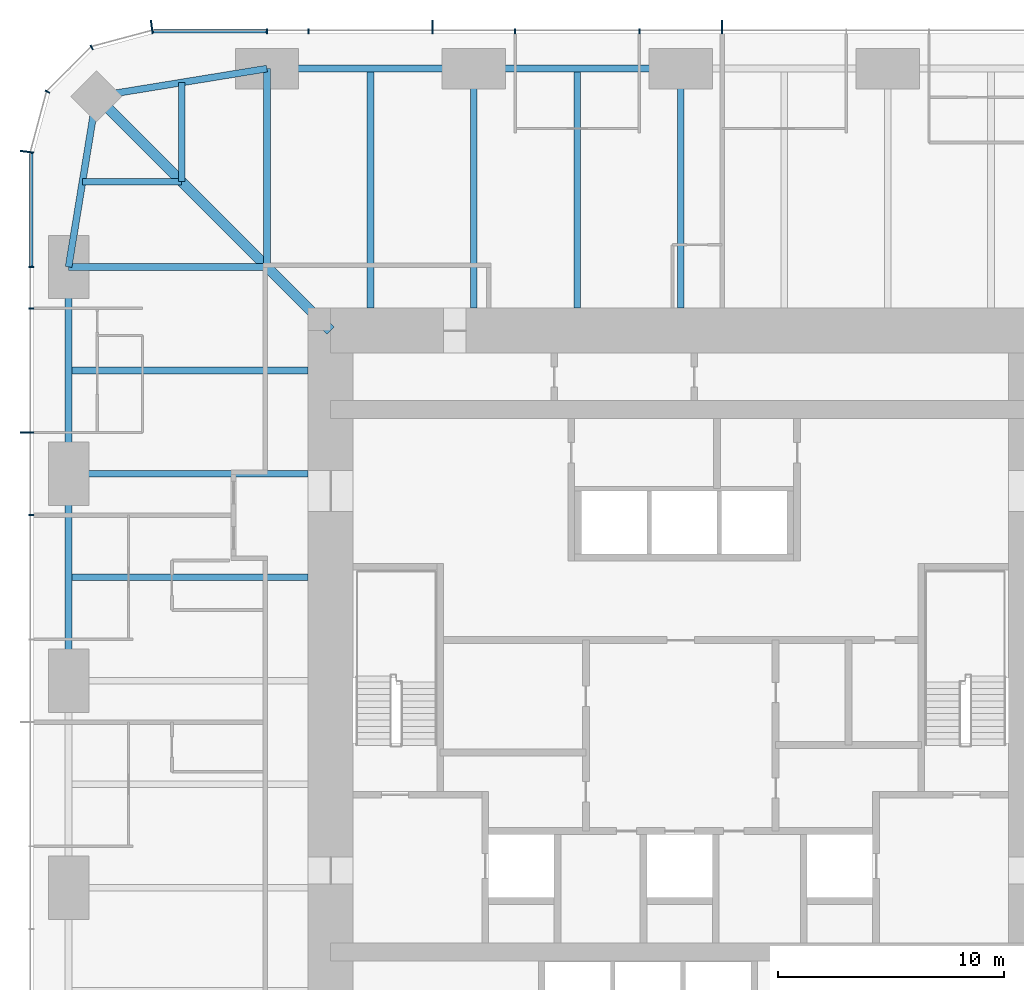
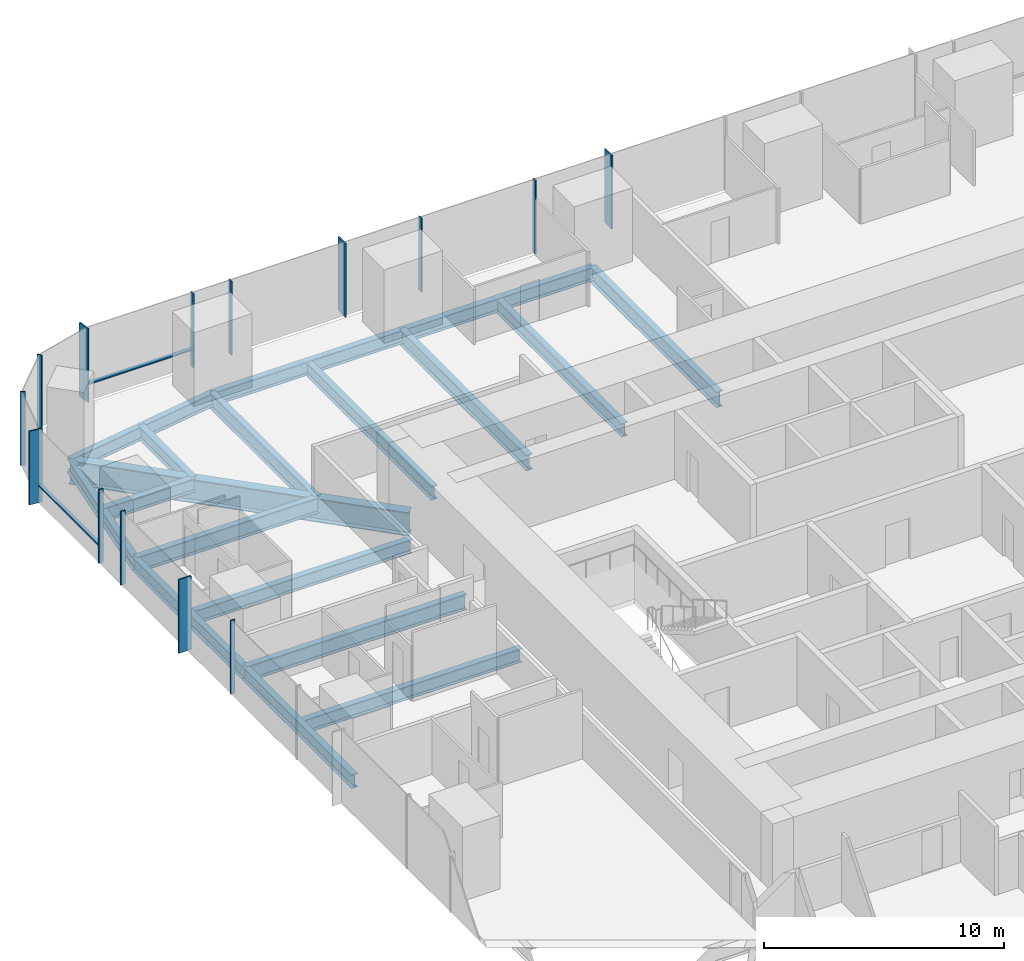
# One storey, part 5 of 13: 18 beams, 16 members, 3 elements without a shape of their own.
"""IFC4 building model written with IfcOpenShell, lengths in metres."""

from ifc_helpers import new_model, si_unit, direction, frame, origin, origin_2d, place, context, subcontext, project, spatial, rectangle, i_section, extrude, material, material_profile, profile_set, type_object, element, aggregate, save


model = new_model("IFC4")

# Units and contexts
model_context = context("Model", 3, precision=1e-05, world=origin(), true_north=direction((0.0, 1.0)))
body_context = subcontext(model_context, "Body", "Model", "MODEL_VIEW")
ifc_project = project(units=[si_unit("LENGTHUNIT", "METRE"), si_unit("AREAUNIT", "SQUARE_METRE"), si_unit("VOLUMEUNIT", "CUBIC_METRE"), si_unit("PLANEANGLEUNIT", "RADIAN"), si_unit("MASSUNIT", "GRAM", prefix="KILO")], contexts=[model_context])

# Site, building, storey
site_placement = place(None, origin())
site = spatial("IfcSite", under=ifc_project, at=site_placement, CompositionType="ELEMENT")
building_placement = place(site_placement, origin())
building = spatial("IfcBuilding", under=site, at=building_placement, Name="Khuree Lantern Residences", CompositionType="ELEMENT")
storey_placement = place(building_placement, frame((0.0, 0.0, 141.0)))
storey = spatial("IfcBuildingStorey", under=building, at=storey_placement, Name="L35", CompositionType="ELEMENT", Elevation=141.0)

# Beams
ifc_material_1 = material(Name="Steel S355", Category="steel")
ifc_material_profile_1 = material_profile(ifc_material_1, i_section(OverallWidth=0.300048828125, OverallDepth=0.68994140625, WebThickness=0.014404296875, FlangeThickness=0.027099609375, FilletRadius=0.027099609375, at=origin_2d()), Name="HE 700 A")
ifc_profile_set_1 = profile_set([ifc_material_profile_1], Name="Steel S355")
beam_type_1 = type_object("IfcBeamType", Name="B-23 SECONDARY BEAM HE 700 A", PredefinedType="BEAM", material=ifc_profile_set_1)
for number, where, z_axis, x_axis, name in (
    (1, (-13.739990234375, 27.10009765625, -0.594970703125), (0.0, -1.0, 0.0), (1.0, 0.0, 0.0), "Secondary beam N1"),
    (2, (-4.580078125, 27.10009765625, -0.594970703125), (0.0, -1.0, 0.0), (1.0, 0.0, 0.0), "Secondary beam N2"),
    (3, (-27.10009765625, 4.580078125, -0.594970703125), (1.0, 0.0, 0.0), (0.0, 1.0, 0.0), "Secondary beam W4"),
    (4, (-27.10009765625, 13.739990234375, -0.594970703125), (1.0, 0.0, 0.0), (0.0, 1.0, 0.0), "Secondary beam W5"),
):
    element("IfcBeam", number, at=place(storey_placement, frame(where, z_axis=z_axis, x_axis=x_axis)), inside=storey, type_object=beam_type_1, Name=name, PredefinedType="BEAM", context=body_context, shape_type="SweptSolid", body=[
        extrude(i_section(OverallWidth=0.300048828125, OverallDepth=0.68994140625, WebThickness=0.014404296875, FlangeThickness=0.027099609375, FilletRadius=0.027099609375, at=origin_2d()), origin(), (0.0, 0.0, 1.0), 10.60009765625),
    ])
for number, where, z_axis, x_axis, name in (
    (5, (-26.48486328125, 22.094970703125, -0.594970703125), (1.0, 0.0, 0.0), (0.0, 1.0, 0.0), "Secondary beam W6"),
    (6, (-22.094970703125, 26.48486328125, -0.594970703125), (0.0, -1.0, 0.0), (1.0, 0.0, 0.0), "Secondary beam N6"),
):
    element("IfcBeam", number, at=place(storey_placement, frame(where, z_axis=z_axis, x_axis=x_axis)), inside=storey, type_object=beam_type_1, Name=name, PredefinedType="BEAM", context=body_context, shape_type="SweptSolid", body=[
        extrude(i_section(OverallWidth=0.300048828125, OverallDepth=0.68994140625, WebThickness=0.014404296875, FlangeThickness=0.027099609375, FilletRadius=0.027099609375, at=origin_2d()), origin(), (0.0, 0.0, 1.0), 4.389892578125),
    ])
ifc_material_profile_2 = material_profile(ifc_material_1, i_section(OverallWidth=0.300048828125, OverallDepth=0.68994140625, WebThickness=0.014404296875, FlangeThickness=0.027099609375, FilletRadius=0.027099609375, at=origin_2d()), Name="HE 700 A")
ifc_profile_set_2 = profile_set([ifc_material_profile_2], Name="Steel S355")
beam_type_2 = type_object("IfcBeamType", Name="E-23 SPANDREL BEAM HE 700 A", PredefinedType="SPANDREL", material=ifc_profile_set_2)
beam_1_placement = place(storey_placement, frame((-18.320068359375, 27.10009765625, -0.594970703125), z_axis=(1.0, 0.0, 0.0), x_axis=(0.0, 1.0, 0.0)))
element("IfcBeam", 7, at=beam_1_placement, inside=storey, type_object=beam_type_2, Name="Spandrel beam N1", PredefinedType="SPANDREL", context=body_context, shape_type="SweptSolid", body=[
    extrude(i_section(OverallWidth=0.300048828125, OverallDepth=0.68994140625, WebThickness=0.014404296875, FlangeThickness=0.027099609375, FilletRadius=0.027099609375, at=origin_2d()), origin(), (0.0, 0.0, 1.0), 9.16015625),
])
for number, where, z_axis, x_axis, name in (
    (8, (-9.159912109375, 27.10009765625, -0.594970703125), (1.0, 0.0, 0.0), (0.0, 1.0, 0.0), "Spandrel beam N2"),
    (9, (-27.10009765625, 0.0, -0.594970703125), (0.0, 1.0, 0.0), (-1.0, 0.0, 0.0), "Spandrel beam W4"),
):
    element("IfcBeam", number, at=place(storey_placement, frame(where, z_axis=z_axis, x_axis=x_axis)), inside=storey, type_object=beam_type_2, Name=name, PredefinedType="SPANDREL", context=body_context, shape_type="SweptSolid", body=[
        extrude(i_section(OverallWidth=0.300048828125, OverallDepth=0.68994140625, WebThickness=0.014404296875, FlangeThickness=0.027099609375, FilletRadius=0.027099609375, at=origin_2d()), origin(), (0.0, 0.0, 1.0), 9.159912109375),
    ])
beam_2_placement = place(storey_placement, frame((-27.10009765625, 9.159912109375, -0.594970703125), z_axis=(0.0, 1.0, 0.0), x_axis=(-1.0, 0.0, 0.0)))
element("IfcBeam", 10, at=beam_2_placement, inside=storey, type_object=beam_type_2, Name="Spandrel beam W5", PredefinedType="SPANDREL", context=body_context, shape_type="SweptSolid", body=[
    extrude(i_section(OverallWidth=0.300048828125, OverallDepth=0.68994140625, WebThickness=0.014404296875, FlangeThickness=0.027099609375, FilletRadius=0.027099609375, at=origin_2d()), origin(), (0.0, 0.0, 1.0), 9.16015625),
])
for number, where, z_axis, x_axis, name in (
    (11, (-27.10009765625, 18.320068359375, -0.594970703125), (0.160826723833, 0.986982656839, 0.0), (-0.986982656839, 0.160826723833, 0.0), "Spandrel beam W6"),
    (12, (-25.869873046875, 25.869873046875, -0.594970703125), (0.986982656839, 0.160826723833, 0.0), (-0.160826723833, 0.986982656839, 0.0), "Spandrel beam N6"),
):
    element("IfcBeam", number, at=place(storey_placement, frame(where, z_axis=z_axis, x_axis=x_axis)), inside=storey, type_object=beam_type_2, Name=name, PredefinedType="SPANDREL", context=body_context, shape_type="SweptSolid", body=[
        extrude(i_section(OverallWidth=0.300048828125, OverallDepth=0.68994140625, WebThickness=0.014404296875, FlangeThickness=0.027099609375, FilletRadius=0.027099609375, at=origin_2d()), origin(), (0.0, 0.0, 1.0), 7.6494140625),
    ])

# Curtain wall, members
ifc_material_2 = material(Name="Bronze anodised aluminium", Category="aluminium")
curtain_wall_type_1 = type_object("IfcCurtainWallType", Name="CW-T1 TOWER FACE CURTAIN WALL", PredefinedType="USERDEFINED", material=ifc_material_2)
curtain_wall_1_placement = place(storey_placement, origin())
curtain_wall_1 = element("IfcCurtainWall", 13, at=curtain_wall_1_placement, inside=storey, type_object=curtain_wall_type_1, Name="L35 NORTH FACE CURTAIN WALL", ObjectType="Stick-built curtain wall", PredefinedType="USERDEFINED")
ifc_material_profile_3 = material_profile(ifc_material_2, rectangle(XDim=0.06494140625, YDim=0.60009765625, at=origin_2d()), Name="F1 65X600")
ifc_profile_set_3 = profile_set([ifc_material_profile_3], Name="Bronze anodised aluminium")
member_type_1 = type_object("IfcMemberType", Name="F1 BRONZE FIN MULLION TOWER 65X600", PredefinedType="MULLION", material=ifc_profile_set_3)
member_1_placement = place(storey_placement, frame((1.83203125, 28.949951171875, 0.0), z_axis=(0.0, 0.0, 1.0), x_axis=(-1.0, 0.0, 0.0)))
member_1 = element("IfcMember", 14, at=member_1_placement, type_object=member_type_1, Name="L35 NORTH FACE FIN MULLION 23", PredefinedType="MULLION", context=body_context, shape_type="SweptSolid", body=[
    extrude(rectangle(XDim=0.06494140625, YDim=0.60009765625, at=origin_2d()), origin(), (0.0, 0.0, 1.0), 3.75),
])
member_2_placement = place(storey_placement, frame((-10.991943359375, 28.949951171875, 0.0), z_axis=(0.0, 0.0, 1.0), x_axis=(-1.0, 0.0, 0.0)))
member_2 = element("IfcMember", 15, at=member_2_placement, type_object=member_type_1, Name="L35 NORTH FACE FIN MULLION 26", PredefinedType="MULLION", context=body_context, shape_type="SweptSolid", body=[
    extrude(rectangle(XDim=0.06494140625, YDim=0.60009765625, at=origin_2d()), origin(), (0.0, 0.0, 1.0), 3.75),
])

# Curtain wall, member
curtain_wall_type_2 = type_object("IfcCurtainWallType", Name="CW-T2 TOWER CORNER CURTAIN WALL", PredefinedType="USERDEFINED", material=ifc_material_2)
curtain_wall_2_placement = place(storey_placement, origin())
curtain_wall_2 = element("IfcCurtainWall", 16, at=curtain_wall_2_placement, inside=storey, type_object=curtain_wall_type_2, Name="L35 NORTH-WEST CORNER CURTAIN WALL", ObjectType="Faceted corner curtain wall", PredefinedType="USERDEFINED")
member_3_placement = place(storey_placement, frame((-23.419677734375, 28.9501953125, 0.0), z_axis=(0.0, 0.0, 1.0), x_axis=(-0.991444857305, -0.130526223125, 0.0)))
member_3 = element("IfcMember", 17, at=member_3_placement, type_object=member_type_1, Name="L35 NORTH-WEST CORNER FIN MULLION 29", PredefinedType="MULLION", context=body_context, shape_type="SweptSolid", body=[
    extrude(rectangle(XDim=0.06494140625, YDim=0.60009765625, at=origin_2d()), origin(), (0.0, 0.0, 1.0), 3.75),
])

# Curtain wall, members
curtain_wall_3_placement = place(storey_placement, origin())
curtain_wall_3 = element("IfcCurtainWall", 18, at=curtain_wall_3_placement, inside=storey, type_object=curtain_wall_type_1, Name="L35 WEST FACE CURTAIN WALL", ObjectType="Stick-built curtain wall", PredefinedType="USERDEFINED")
member_4_placement = place(storey_placement, frame((-28.9501953125, 23.419677734375, 0.0), z_axis=(0.0, 0.0, 1.0), x_axis=(-0.130526223125, -0.991444857305, 0.0)))
member_4 = element("IfcMember", 19, at=member_4_placement, type_object=member_type_1, Name="L35 WEST FACE FIN MULLION 32", PredefinedType="MULLION", context=body_context, shape_type="SweptSolid", body=[
    extrude(rectangle(XDim=0.06494140625, YDim=0.60009765625, at=origin_2d()), origin(), (0.0, 0.0, 1.0), 3.75),
])
member_5_placement = place(storey_placement, frame((-28.949951171875, 10.991943359375, 0.0), z_axis=(0.0, 0.0, 1.0), x_axis=(0.0, -1.0, 0.0)))
member_5 = element("IfcMember", 20, at=member_5_placement, type_object=member_type_1, Name="L35 WEST FACE FIN MULLION 35", PredefinedType="MULLION", context=body_context, shape_type="SweptSolid", body=[
    extrude(rectangle(XDim=0.06494140625, YDim=0.60009765625, at=origin_2d()), origin(), (0.0, 0.0, 1.0), 3.75),
])

# Beams
ifc_material_profile_4 = material_profile(ifc_material_1, i_section(OverallWidth=0.300048828125, OverallDepth=0.800048828125, WebThickness=0.017578125, FlangeThickness=0.032958984375, FilletRadius=0.030029296875, at=origin_2d()), Name="HE 800 B")
ifc_profile_set_4 = profile_set([ifc_material_profile_4], Name="Steel S355")
beam_type_3 = type_object("IfcBeamType", Name="G-23 GIRDER HE 800 B", PredefinedType="BEAM", material=ifc_profile_set_4)
beam_3_placement = place(storey_placement, frame((-18.320068359375, 27.10009765625, -0.64990234375), z_axis=(0.0, -1.0, 0.0), x_axis=(1.0, 0.0, 0.0)))
element("IfcBeam", 21, at=beam_3_placement, inside=storey, type_object=beam_type_3, Name="Girder N1", PredefinedType="BEAM", context=body_context, shape_type="SweptSolid", body=[
    extrude(i_section(OverallWidth=0.300048828125, OverallDepth=0.800048828125, WebThickness=0.017578125, FlangeThickness=0.032958984375, FilletRadius=0.030029296875, at=origin_2d()), origin(), (0.0, 0.0, 1.0), 8.780029296875),
])
for number, where, z_axis, x_axis, name in (
    (22, (-9.159912109375, 27.10009765625, -0.64990234375), (0.0, -1.0, 0.0), (1.0, 0.0, 0.0), "Girder N2"),
    (23, (0.0, 27.10009765625, -0.64990234375), (0.0, -1.0, 0.0), (1.0, 0.0, 0.0), "Girder N3"),
    (24, (-27.10009765625, 9.159912109375, -0.64990234375), (1.0, 0.0, 0.0), (0.0, 1.0, 0.0), "Girder W4"),
):
    element("IfcBeam", number, at=place(storey_placement, frame(where, z_axis=z_axis, x_axis=x_axis)), inside=storey, type_object=beam_type_3, Name=name, PredefinedType="BEAM", context=body_context, shape_type="SweptSolid", body=[
        extrude(i_section(OverallWidth=0.300048828125, OverallDepth=0.800048828125, WebThickness=0.017578125, FlangeThickness=0.032958984375, FilletRadius=0.030029296875, at=origin_2d()), origin(), (0.0, 0.0, 1.0), 10.60009765625),
    ])
beam_4_placement = place(storey_placement, frame((-27.10009765625, 18.320068359375, -0.64990234375), z_axis=(1.0, 0.0, 0.0), x_axis=(0.0, 1.0, 0.0)))
element("IfcBeam", 25, at=beam_4_placement, inside=storey, type_object=beam_type_3, Name="Girder W5", PredefinedType="BEAM", context=body_context, shape_type="SweptSolid", body=[
    extrude(i_section(OverallWidth=0.300048828125, OverallDepth=0.800048828125, WebThickness=0.017578125, FlangeThickness=0.032958984375, FilletRadius=0.030029296875, at=origin_2d()), origin(), (0.0, 0.0, 1.0), 8.780029296875),
])
ifc_material_profile_5 = material_profile(ifc_material_1, i_section(OverallWidth=0.449951171875, OverallDepth=1.199951171875, WebThickness=0.02490234375, FlangeThickness=0.044921875, at=origin_2d()), Name="WELDED I 1200X450X25X45")
ifc_profile_set_5 = profile_set([ifc_material_profile_5], Name="Steel S355")
beam_type_4 = type_object("IfcBeamType", Name="GD-23 CORNER GIRDER WELDED I 1200X450X25X45", PredefinedType="BEAM", material=ifc_profile_set_5)
beam_5_placement = place(storey_placement, frame((-25.869873046875, 25.869873046875, -0.85009765625), z_axis=(0.707106781187, -0.707106781187, 0.0), x_axis=(0.707106781187, 0.707106781187, 0.0)))
element("IfcBeam", 26, at=beam_5_placement, inside=storey, type_object=beam_type_4, Name="Corner girder NW", PredefinedType="BEAM", context=body_context, shape_type="SweptSolid", body=[
    extrude(i_section(OverallWidth=0.449951171875, OverallDepth=1.199951171875, WebThickness=0.02490234375, FlangeThickness=0.044921875, at=origin_2d()), origin(), (0.0, 0.0, 1.0), 14.665283203125),
])

# Member
ifc_material_profile_6 = material_profile(ifc_material_2, rectangle(XDim=0.06494140625, YDim=0.219970703125, at=origin_2d()), Name="M1 65X220")
ifc_profile_set_6 = profile_set([ifc_material_profile_6], Name="Bronze anodised aluminium")
member_type_2 = type_object("IfcMemberType", Name="M1 BRONZE MULLION TOWER 65X220", PredefinedType="MULLION", material=ifc_profile_set_6)
member_6_placement = place(storey_placement, frame((-1.83203125, 28.760009765625, 0.0), z_axis=(0.0, 0.0, 1.0), x_axis=(-1.0, 0.0, 0.0)))
member_6 = element("IfcMember", 27, at=member_6_placement, type_object=member_type_2, Name="L35 NORTH FACE MULLION 24", PredefinedType="MULLION", context=body_context, shape_type="SweptSolid", body=[
    extrude(rectangle(XDim=0.06494140625, YDim=0.219970703125, at=origin_2d()), origin(), (0.0, 0.0, 1.0), 3.75),
])

member_7_placement = place(storey_placement, frame((-7.327880859375, 28.760009765625, 0.0), z_axis=(0.0, 0.0, 1.0), x_axis=(-1.0, 0.0, 0.0)))
member_7 = element("IfcMember", 28, at=member_7_placement, type_object=member_type_2, Name="L35 NORTH FACE MULLION 25", PredefinedType="MULLION", context=body_context, shape_type="SweptSolid", body=[
    extrude(rectangle(XDim=0.06494140625, YDim=0.219970703125, at=origin_2d()), origin(), (0.0, 0.0, 1.0), 3.75),
])

member_8_placement = place(storey_placement, frame((-16.488037109375, 28.760009765625, 0.0), z_axis=(0.0, 0.0, 1.0), x_axis=(-1.0, 0.0, 0.0)))
member_8 = element("IfcMember", 29, at=member_8_placement, type_object=member_type_2, Name="L35 NORTH FACE MULLION 27", PredefinedType="MULLION", context=body_context, shape_type="SweptSolid", body=[
    extrude(rectangle(XDim=0.06494140625, YDim=0.219970703125, at=origin_2d()), origin(), (0.0, 0.0, 1.0), 3.75),
])

member_9_placement = place(storey_placement, frame((-18.320068359375, 28.760009765625, 0.0), z_axis=(0.0, 0.0, 1.0), x_axis=(-1.0, 0.0, 0.0)))
member_9 = element("IfcMember", 30, at=member_9_placement, type_object=member_type_2, Name="L35 NORTH FACE MULLION 28", PredefinedType="MULLION", context=body_context, shape_type="SweptSolid", body=[
    extrude(rectangle(XDim=0.06494140625, YDim=0.219970703125, at=origin_2d()), origin(), (0.0, 0.0, 1.0), 3.75),
])

member_10_placement = place(storey_placement, frame((-26.080078125, 28.0419921875, 0.0), z_axis=(0.0, 0.0, 1.0), x_axis=(-0.866025388199, -0.500000026995, 0.0)))
member_10 = element("IfcMember", 31, at=member_10_placement, type_object=member_type_2, Name="L35 NORTH-WEST CORNER MULLION 30", PredefinedType="MULLION", context=body_context, shape_type="SweptSolid", body=[
    extrude(rectangle(XDim=0.06494140625, YDim=0.219970703125, at=origin_2d()), origin(), (0.0, 0.0, 1.0), 3.75),
])

member_11_placement = place(storey_placement, frame((-28.0419921875, 26.080078125, 0.0), z_axis=(0.0, 0.0, 1.0), x_axis=(-0.500000026995, -0.866025388199, 0.0)))
member_11 = element("IfcMember", 32, at=member_11_placement, type_object=member_type_2, Name="L35 NORTH-WEST CORNER MULLION 31", PredefinedType="MULLION", context=body_context, shape_type="SweptSolid", body=[
    extrude(rectangle(XDim=0.06494140625, YDim=0.219970703125, at=origin_2d()), origin(), (0.0, 0.0, 1.0), 3.75),
])

aggregate(curtain_wall_2, [member_3, member_10, member_11])

member_12_placement = place(storey_placement, frame((-28.760009765625, 18.320068359375, 0.0), z_axis=(0.0, 0.0, 1.0), x_axis=(0.0, -1.0, 0.0)))
member_12 = element("IfcMember", 33, at=member_12_placement, type_object=member_type_2, Name="L35 WEST FACE MULLION 33", PredefinedType="MULLION", context=body_context, shape_type="SweptSolid", body=[
    extrude(rectangle(XDim=0.06494140625, YDim=0.219970703125, at=origin_2d()), origin(), (0.0, 0.0, 1.0), 3.75),
])

member_13_placement = place(storey_placement, frame((-28.760009765625, 16.488037109375, 0.0), z_axis=(0.0, 0.0, 1.0), x_axis=(0.0, -1.0, 0.0)))
member_13 = element("IfcMember", 34, at=member_13_placement, type_object=member_type_2, Name="L35 WEST FACE MULLION 34", PredefinedType="MULLION", context=body_context, shape_type="SweptSolid", body=[
    extrude(rectangle(XDim=0.06494140625, YDim=0.219970703125, at=origin_2d()), origin(), (0.0, 0.0, 1.0), 3.75),
])

member_14_placement = place(storey_placement, frame((-28.760009765625, 7.327880859375, 0.0), z_axis=(0.0, 0.0, 1.0), x_axis=(0.0, -1.0, 0.0)))
member_14 = element("IfcMember", 35, at=member_14_placement, type_object=member_type_2, Name="L35 WEST FACE MULLION 36", PredefinedType="MULLION", context=body_context, shape_type="SweptSolid", body=[
    extrude(rectangle(XDim=0.06494140625, YDim=0.219970703125, at=origin_2d()), origin(), (0.0, 0.0, 1.0), 3.75),
])

ifc_material_profile_7 = material_profile(ifc_material_2, rectangle(XDim=0.179931640625, YDim=0.06494140625, at=origin_2d()), Name="T1 180X65")
ifc_profile_set_7 = profile_set([ifc_material_profile_7], Name="Bronze anodised aluminium")
member_type_3 = type_object("IfcMemberType", Name="TRANSOM T1 TOWER 180X65", PredefinedType="USERDEFINED", material=ifc_profile_set_7)
member_15_placement = place(storey_placement, frame((-18.3525390625, 28.77001953125, 0.89990234375), z_axis=(-1.0, 0.0, 0.0), x_axis=(0.0, -1.0, 0.0)))
member_15 = element("IfcMember", 36, at=member_15_placement, type_object=member_type_3, Name="L35 NORTH FACE TRANSOM 28.1", ObjectType="Transom", PredefinedType="USERDEFINED", context=body_context, shape_type="SweptSolid", body=[
    extrude(rectangle(XDim=0.179931640625, YDim=0.06494140625, at=origin_2d()), origin(), (0.0, 0.0, 1.0), 4.998779296875),
])

aggregate(curtain_wall_1, [member_1, member_6, member_7, member_2, member_8, member_9, member_15])

member_16_placement = place(storey_placement, frame((-28.77001953125, 23.351318359375, 0.89990234375), z_axis=(0.0, -1.0, 0.0), x_axis=(1.0, 0.0, 0.0)))
member_16 = element("IfcMember", 37, at=member_16_placement, type_object=member_type_3, Name="L35 WEST FACE TRANSOM 32.1", ObjectType="Transom", PredefinedType="USERDEFINED", context=body_context, shape_type="SweptSolid", body=[
    extrude(rectangle(XDim=0.179931640625, YDim=0.06494140625, at=origin_2d()), origin(), (0.0, 0.0, 1.0), 4.998779296875),
])

aggregate(curtain_wall_3, [member_4, member_12, member_13, member_5, member_14, member_16])

save(model, "model.ifc")
